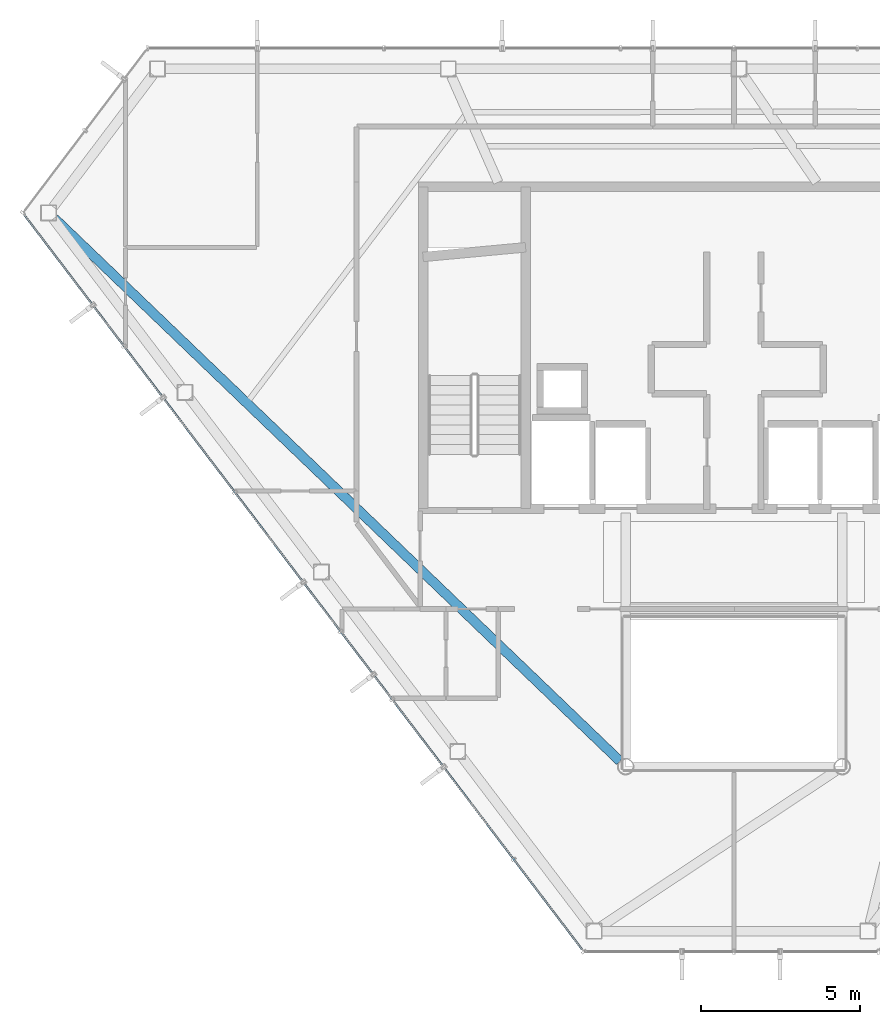
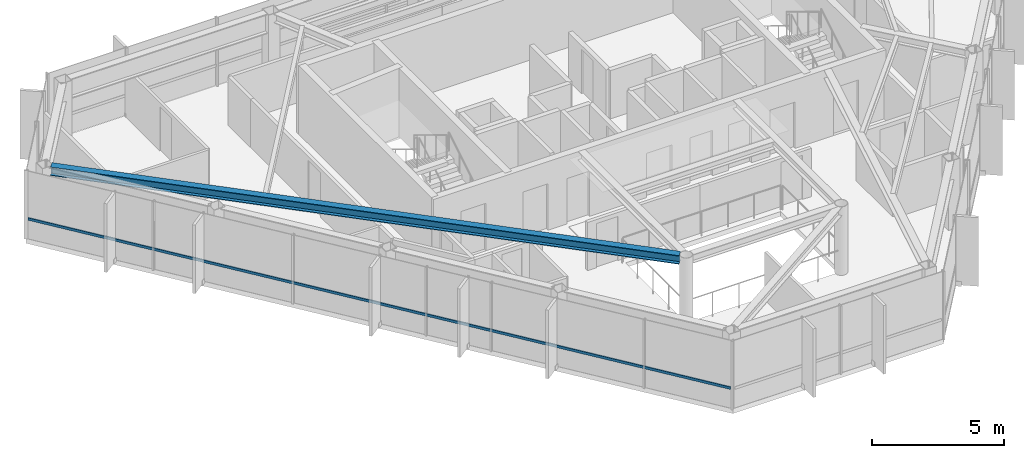
# One storey, part 4 of 24: 1 beam, 1 member, 1 element without a shape of its own.
"""IFC4 building model written with IfcOpenShell, lengths in metres."""

from ifc_helpers import new_model, si_unit, direction, frame, origin, origin_2d, place, context, subcontext, project, spatial, hollow_rectangle, i_section, extrude, material, layer, layer_set, material_profile, profile_set, type_object, element, aggregate, save


model = new_model("IFC4")

# Units and contexts
model_context = context("Model", 3, precision=1e-05, world=origin(), true_north=direction((0.0, 1.0)))
body_context = subcontext(model_context, "Body", "Model", "MODEL_VIEW")
ifc_project = project(units=[si_unit("LENGTHUNIT", "METRE"), si_unit("AREAUNIT", "SQUARE_METRE"), si_unit("VOLUMEUNIT", "CUBIC_METRE"), si_unit("PLANEANGLEUNIT", "RADIAN"), si_unit("MASSUNIT", "GRAM", prefix="KILO")], contexts=[model_context])

# Site, building, storey
site_placement = place(None, origin())
site = spatial("IfcSite", under=ifc_project, at=site_placement, CompositionType="ELEMENT")
building_placement = place(site_placement, origin())
building = spatial("IfcBuilding", under=site, at=building_placement, Name="Zarrinselat Tower", CompositionType="ELEMENT")
storey_placement = place(building_placement, frame((0.0, 0.0, 268.60009765625)))
storey = spatial("IfcBuildingStorey", under=building, at=storey_placement, Name="L68", CompositionType="ELEMENT", Elevation=268.60009765625)

# Beam
ifc_material_1 = material(Name="Steel S355J2", Category="steel")
ifc_material_profile_1 = material_profile(ifc_material_1, i_section(OverallWidth=0.300048828125, OverallDepth=0.39990234375, WebThickness=0.013427734375, FlangeThickness=0.02392578125, at=origin_2d()), Name="HEB 400")
ifc_profile_set_1 = profile_set([ifc_material_profile_1], Name="Steel S355J2")
beam_type = type_object("IfcBeamType", Name="BM-HEB400", PredefinedType="BEAM", material=ifc_profile_set_1)
beam_placement = place(storey_placement, frame((17.072509765625, 42.40771484375, 2.97998046875), z_axis=(0.72143848732, -0.692478526031, 0.0), x_axis=(0.692478526031, 0.72143848732, 0.0)))
element("IfcBeam", 1, at=beam_placement, inside=storey, type_object=beam_type, Name="L68 Radial Primary Girder RG06", PredefinedType="BEAM", context=body_context, shape_type="SweptSolid", body=[
    extrude(i_section(OverallWidth=0.300048828125, OverallDepth=0.39990234375, WebThickness=0.013427734375, FlangeThickness=0.02392578125, at=origin_2d()), origin(), (0.0, 0.0, 1.0), 24.599609375),
])

# Curtain wall, member
ifc_material_2 = material(Name="Extruded Aluminium Alloy EN AW-6063 T6", Category="aluminium")
ifc_layer = layer(ifc_material_2, 0.169921875)
ifc_layer_set = layer_set([ifc_layer], Name="Extruded Aluminium Alloy EN AW-6063 T6")
curtain_wall_type = type_object("IfcCurtainWallType", Name="CWS-RES", PredefinedType="NOTDEFINED", material=ifc_layer_set)
curtain_wall_placement = place(storey_placement, origin())
curtain_wall = element("IfcCurtainWall", 2, at=curtain_wall_placement, inside=storey, type_object=curtain_wall_type, Name="L68 Unitised Curtain Wall CW-L68-E03", PredefinedType="NOTDEFINED")
ifc_material_3 = material(Name="Extruded Aluminium Alloy EN AW-6063 T6", Category="aluminium")
ifc_material_profile_2 = material_profile(ifc_material_3, hollow_rectangle(XDim=0.06005859375, YDim=0.1201171875, WallThickness=0.00390625, at=origin_2d()), Name="RHS 120x60x4")
ifc_profile_set_2 = profile_set([ifc_material_profile_2], Name="Extruded Aluminium Alloy EN AW-6063 T6")
member_type = type_object("IfcMemberType", Name="MEM-CW-TRN2", PredefinedType="USERDEFINED", material=ifc_profile_set_2)
member_placement = place(storey_placement, frame((16.12939453125, 42.509765625, 0.949951171875), z_axis=(0.604789793704, -0.796385148927, 0.0), x_axis=(0.796385148927, 0.604789793704, 0.0)))
member = element("IfcMember", 3, at=member_placement, type_object=member_type, Name="CW-L68-E03 Transom 1", ObjectType="TRANSOM", PredefinedType="USERDEFINED", context=body_context, shape_type="SweptSolid", body=[
    extrude(hollow_rectangle(XDim=0.06005859375, YDim=0.1201171875, WallThickness=0.00390625, at=origin_2d()), origin(), (0.0, 0.0, 1.0), 28.943359375),
])
aggregate(curtain_wall, [member])

save(model, "model.ifc")
